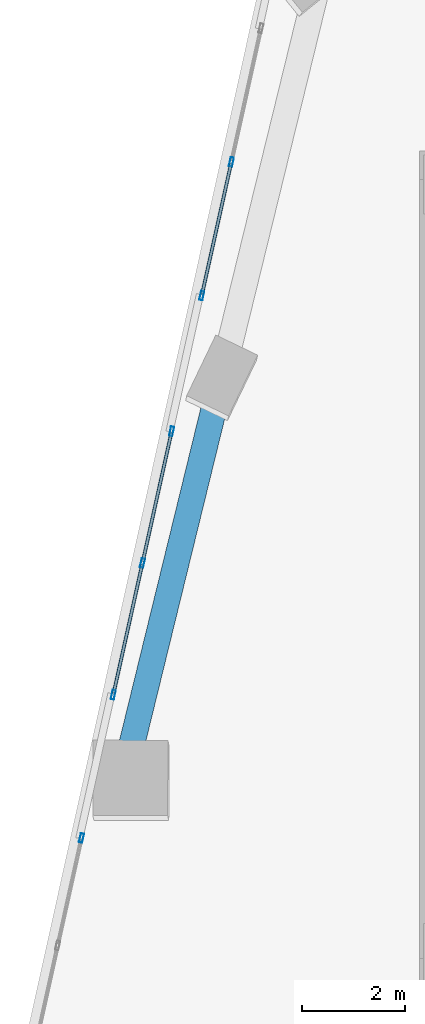
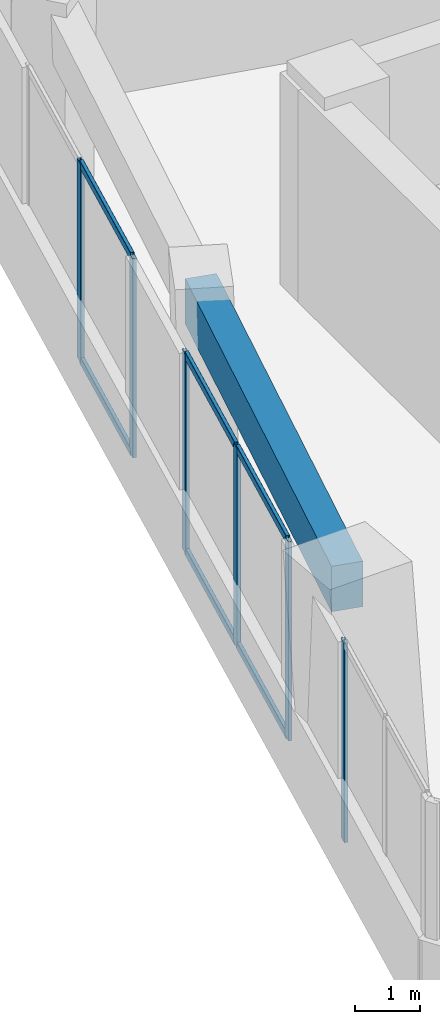
# One storey, part 6 of 25: 12 members, 1 beam, 3 elements without a shape of their own.
"""IFC4 building model written with IfcOpenShell, lengths in metres."""

from ifc_helpers import new_model, si_unit, direction, frame, origin, origin_2d, place, context, subcontext, project, spatial, rectangle, hollow_rectangle, extrude, source, transform, mapped, material, material_profile, profile_set, type_object, element, aggregate, save


model = new_model("IFC4")

# Units and contexts
model_context = context("Model", 3, precision=1e-05, world=origin(), true_north=direction((0.0, 1.0)))
body_context = subcontext(model_context, "Body", "Model", "MODEL_VIEW")
ifc_project = project(units=[si_unit("LENGTHUNIT", "METRE"), si_unit("AREAUNIT", "SQUARE_METRE"), si_unit("VOLUMEUNIT", "CUBIC_METRE"), si_unit("PLANEANGLEUNIT", "RADIAN"), si_unit("MASSUNIT", "GRAM", prefix="KILO")], contexts=[model_context])

# Site, building, storey
site_placement = place(None, origin())
site = spatial("IfcSite", under=ifc_project, at=site_placement, CompositionType="ELEMENT")
building_placement = place(site_placement, origin())
building = spatial("IfcBuilding", under=site, at=building_placement, Name="Torre Montelarca", CompositionType="ELEMENT")
storey_placement = place(building_placement, frame((0.0, 0.0, 91.60009765625)))
storey = spatial("IfcBuildingStorey", under=building, at=storey_placement, Name="L20", CompositionType="ELEMENT", Elevation=91.60009765625)

# Beam
ifc_material_1 = material(Name="Concrete C55/67", Category="concrete")
ifc_material_profile_1 = material_profile(ifc_material_1, rectangle(XDim=0.5, YDim=0.85009765625, at=origin_2d()), Name="RCB500X850", Category="concrete")
ifc_profile_set_1 = profile_set([ifc_material_profile_1], Name="Concrete C55/67")
beam_type = type_object("IfcBeamType", Name="BM-SP-RC850-EXT", PredefinedType="SPANDREL", material=ifc_profile_set_1)
shared_shape_1 = source(origin(), body_context, "Body", "SweptSolid", [
    extrude(rectangle(XDim=0.5, YDim=0.85009765625, at=origin_2d()), origin(), (0.0, 0.0, 1.0), 7.999755859375),
])
beam_placement = place(storey_placement, frame((3.2314453125, 28.234375, 3.534912109375), z_axis=(0.237678346714, 0.971343916182, 0.0), x_axis=(-0.971343916182, 0.237678346714, 0.0)))
element("IfcBeam", 1, at=beam_placement, inside=storey, type_object=beam_type, Name="L20 Grid Girder Y 24.0-32.0 at X=4.7", PredefinedType="SPANDREL", context=body_context, shape_type="MappedRepresentation", body=[
    mapped(shared_shape_1, transform((0.0, 0.0, 0.0), scale=1.0)),
])

# Curtain wall, members
ifc_material_2 = material(Name="Insulated low-E laminated glass", Category="glass")
curtain_wall_type = type_object("IfcCurtainWallType", Name="CW-SYS-Z1", PredefinedType="USERDEFINED", material=ifc_material_2)
curtain_wall_1_placement = place(storey_placement, origin())
curtain_wall_1 = element("IfcCurtainWall", 2, at=curtain_wall_1_placement, inside=storey, type_object=curtain_wall_type, Name="L20 Curtain Wall Run CW-T3-L20-E10-B1", ObjectType="UNITISED GLAZING", PredefinedType="USERDEFINED")
ifc_material_3 = material(Name="Anodised aluminium AA 6063-T6", Category="aluminium")
ifc_material_profile_2 = material_profile(ifc_material_3, hollow_rectangle(XDim=0.06494140625, YDim=0.139892578125, WallThickness=0.00390625, InnerFilletRadius=0.00390625, OuterFilletRadius=0.008056640625, at=origin_2d()), Name="ALU65X140X4", Category="aluminium")
ifc_profile_set_2 = profile_set([ifc_material_profile_2], Name="Anodised aluminium AA 6063-T6")
member_type_1 = type_object("IfcMemberType", Name="CWT-ALU140", PredefinedType="USERDEFINED", material=ifc_profile_set_2)
shared_shape_2 = source(origin(), body_context, "Body", "SweptSolid", [
    extrude(hollow_rectangle(XDim=0.06494140625, YDim=0.139892578125, WallThickness=0.00390625, InnerFilletRadius=0.00390625, OuterFilletRadius=0.008056640625, at=origin_2d()), origin(), (0.0, 0.0, 1.0), 2.5888671875),
])
member_1_placement = place(storey_placement, frame((5.2451171875, 39.855712890625, 0.032470703125), z_axis=(-0.216531017819, -0.976275738878, 0.0), x_axis=(0.976275738878, -0.216531017819, 0.0)))
member_1 = element("IfcMember", 3, at=member_1_placement, type_object=member_type_1, Name="CW transom 2.1", ObjectType="TRANSOM", PredefinedType="USERDEFINED", context=body_context, shape_type="MappedRepresentation", body=[
    mapped(shared_shape_2, transform((0.0, 0.0, 0.0), scale=1.0)),
])
member_2_placement = place(storey_placement, frame((5.2451171875, 39.855712890625, 3.6875), z_axis=(-0.216531017819, -0.976275738878, 0.0), x_axis=(0.976275738878, -0.216531017819, 0.0)))
member_2 = element("IfcMember", 4, at=member_2_placement, type_object=member_type_1, Name="CW transom 2.2", ObjectType="TRANSOM", PredefinedType="USERDEFINED", context=body_context, shape_type="MappedRepresentation", body=[
    mapped(shared_shape_2, transform((0.0, 0.0, 0.0), scale=1.0)),
])

curtain_wall_2_placement = place(storey_placement, origin())
curtain_wall_2 = element("IfcCurtainWall", 5, at=curtain_wall_2_placement, inside=storey, type_object=curtain_wall_type, Name="L20 Curtain Wall Run CW-T3-L20-E10-B2", ObjectType="UNITISED GLAZING", PredefinedType="USERDEFINED")
shared_shape_3 = source(origin(), body_context, "Body", "SweptSolid", [
    extrude(hollow_rectangle(XDim=0.06494140625, YDim=0.139892578125, WallThickness=0.00390625, InnerFilletRadius=0.00390625, OuterFilletRadius=0.008056640625, at=origin_2d()), origin(), (0.0, 0.0, 1.0), 2.55029296875),
])
member_3_placement = place(storey_placement, frame((4.087890625, 34.63623046875, 0.032470703125), z_axis=(-0.216454015778, -0.976292814198, 0.0), x_axis=(0.976292814198, -0.216454015778, 0.0)))
member_3 = element("IfcMember", 6, at=member_3_placement, type_object=member_type_1, Name="CW transom 1.1", ObjectType="TRANSOM", PredefinedType="USERDEFINED", context=body_context, shape_type="MappedRepresentation", body=[
    mapped(shared_shape_3, transform((0.0, 0.0, 0.0), scale=1.0)),
])
member_4_placement = place(storey_placement, frame((4.087890625, 34.63623046875, 3.6875), z_axis=(-0.216454015778, -0.976292814198, 0.0), x_axis=(0.976292814198, -0.216454015778, 0.0)))
member_4 = element("IfcMember", 7, at=member_4_placement, type_object=member_type_1, Name="CW transom 1.2", ObjectType="TRANSOM", PredefinedType="USERDEFINED", context=body_context, shape_type="MappedRepresentation", body=[
    mapped(shared_shape_3, transform((0.0, 0.0, 0.0), scale=1.0)),
])
shared_shape_4 = source(origin(), body_context, "Body", "SweptSolid", [
    extrude(hollow_rectangle(XDim=0.06494140625, YDim=0.139892578125, WallThickness=0.00390625, InnerFilletRadius=0.00390625, OuterFilletRadius=0.008056640625, at=origin_2d()), origin(), (0.0, 0.0, 1.0), 2.550048828125),
])
member_5_placement = place(storey_placement, frame((3.521728515625, 32.0830078125, 0.032470703125), z_axis=(-0.216362764539, -0.976313041048, 0.0), x_axis=(0.976313041048, -0.216362764539, 0.0)))
member_5 = element("IfcMember", 8, at=member_5_placement, type_object=member_type_1, Name="CW transom 2.1", ObjectType="TRANSOM", PredefinedType="USERDEFINED", context=body_context, shape_type="MappedRepresentation", body=[
    mapped(shared_shape_4, transform((0.0, 0.0, 0.0), scale=1.0)),
])
member_6_placement = place(storey_placement, frame((3.521728515625, 32.0830078125, 3.6875), z_axis=(-0.216362764539, -0.976313041048, 0.0), x_axis=(0.976313041048, -0.216362764539, 0.0)))
member_6 = element("IfcMember", 9, at=member_6_placement, type_object=member_type_1, Name="CW transom 2.2", ObjectType="TRANSOM", PredefinedType="USERDEFINED", context=body_context, shape_type="MappedRepresentation", body=[
    mapped(shared_shape_4, transform((0.0, 0.0, 0.0), scale=1.0)),
])

# Member
ifc_material_profile_3 = material_profile(ifc_material_3, hollow_rectangle(XDim=0.06494140625, YDim=0.179931640625, WallThickness=0.00390625, InnerFilletRadius=0.00390625, OuterFilletRadius=0.008056640625, at=origin_2d()), Name="ALU65X180X4", Category="aluminium")
ifc_profile_set_3 = profile_set([ifc_material_profile_3], Name="Anodised aluminium AA 6063-T6")
member_type_2 = type_object("IfcMemberType", Name="CWM-ALU180", PredefinedType="MULLION", material=ifc_profile_set_3)
shared_shape_5 = source(origin(), body_context, "Body", "SweptSolid", [
    extrude(hollow_rectangle(XDim=0.06494140625, YDim=0.179931640625, WallThickness=0.00390625, InnerFilletRadius=0.00390625, OuterFilletRadius=0.008056640625, at=origin_2d()), origin(), (0.0, 0.0, 1.0), 3.719970703125),
])
member_7_placement = place(storey_placement, frame((5.251953125, 39.887451171875, 0.0), z_axis=(0.0, 0.0, 1.0), x_axis=(0.976292493676, -0.216455461452, 0.0)))
member_7 = element("IfcMember", 10, at=member_7_placement, type_object=member_type_2, Name="CW mullion 2", PredefinedType="MULLION", context=body_context, shape_type="MappedRepresentation", body=[
    mapped(shared_shape_5, transform((0.0, 0.0, 0.0), scale=1.0)),
])

member_8_placement = place(storey_placement, frame((4.677734375, 37.296630859375, 0.0), z_axis=(0.0, 0.0, 1.0), x_axis=(0.976292493676, -0.216455461452, 0.0)))
member_8 = element("IfcMember", 11, at=member_8_placement, type_object=member_type_2, Name="CW mullion 3", PredefinedType="MULLION", context=body_context, shape_type="MappedRepresentation", body=[
    mapped(shared_shape_5, transform((0.0, 0.0, 0.0), scale=1.0)),
])

aggregate(curtain_wall_1, [member_7, member_8, member_1, member_2])

member_9_placement = place(storey_placement, frame((4.094970703125, 34.66796875, 0.0), z_axis=(0.0, 0.0, 1.0), x_axis=(0.97629757279, -0.216432551538, 0.0)))
member_9 = element("IfcMember", 12, at=member_9_placement, type_object=member_type_2, Name="CW mullion 1", PredefinedType="MULLION", context=body_context, shape_type="MappedRepresentation", body=[
    mapped(shared_shape_5, transform((0.0, 0.0, 0.0), scale=1.0)),
])

member_10_placement = place(storey_placement, frame((3.52880859375, 32.11474609375, 0.0), z_axis=(0.0, 0.0, 1.0), x_axis=(0.97629757279, -0.216432551538, 0.0)))
member_10 = element("IfcMember", 13, at=member_10_placement, type_object=member_type_2, Name="CW mullion 2", PredefinedType="MULLION", context=body_context, shape_type="MappedRepresentation", body=[
    mapped(shared_shape_5, transform((0.0, 0.0, 0.0), scale=1.0)),
])

member_11_placement = place(storey_placement, frame((2.962890625, 29.5615234375, 0.0), z_axis=(0.0, 0.0, 1.0), x_axis=(0.97629757279, -0.216432551538, 0.0)))
member_11 = element("IfcMember", 14, at=member_11_placement, type_object=member_type_2, Name="CW mullion 3", PredefinedType="MULLION", context=body_context, shape_type="MappedRepresentation", body=[
    mapped(shared_shape_5, transform((0.0, 0.0, 0.0), scale=1.0)),
])

aggregate(curtain_wall_2, [member_9, member_10, member_11, member_3, member_4, member_5, member_6])

# Curtain wall, member
curtain_wall_3_placement = place(storey_placement, origin())
curtain_wall_3 = element("IfcCurtainWall", 15, at=curtain_wall_3_placement, inside=storey, type_object=curtain_wall_type, Name="L20 Curtain Wall Run CW-T3-L20-E10-B3", ObjectType="UNITISED GLAZING", PredefinedType="USERDEFINED")
member_12_placement = place(storey_placement, frame((2.34716796875, 26.7841796875, 0.0), z_axis=(0.0, 0.0, 1.0), x_axis=(0.976291841567, -0.216458402676, 0.0)))
member_12 = element("IfcMember", 16, at=member_12_placement, type_object=member_type_2, Name="CW mullion 1", PredefinedType="MULLION", context=body_context, shape_type="MappedRepresentation", body=[
    mapped(shared_shape_5, transform((0.0, 0.0, 0.0), scale=1.0)),
])
aggregate(curtain_wall_3, [member_12])

save(model, "model.ifc")
